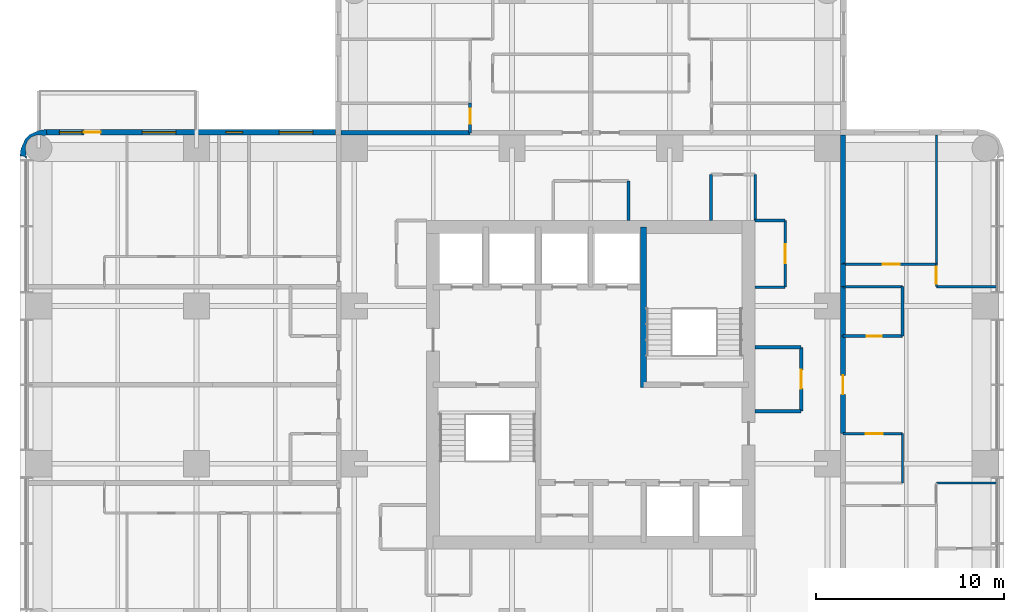
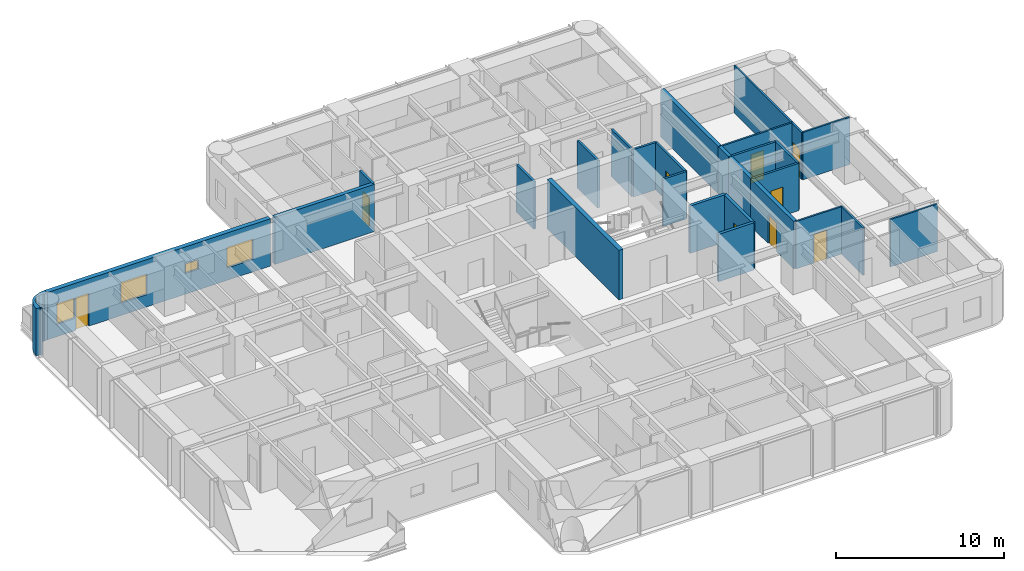
# One storey, part 8 of 11: 28 walls, 9 doors, 4 windows, 13 openings.
"""IFC4 building model written with IfcOpenShell, lengths in metres."""

from ifc_helpers import new_model, si_unit, direction, frame, frame_2d, origin, place, context, subcontext, project, spatial, polyline, rectangle, outline, extrude, material, layer, layer_set, type_object, element, fill, save


model = new_model("IFC4")

# Units and contexts
model_context = context("Model", 3, precision=1e-05, world=origin(), true_north=direction((0.0, 1.0)))
body_context = subcontext(model_context, "Body", "Model", "MODEL_VIEW")
ifc_project = project(units=[si_unit("LENGTHUNIT", "METRE"), si_unit("AREAUNIT", "SQUARE_METRE"), si_unit("VOLUMEUNIT", "CUBIC_METRE"), si_unit("PLANEANGLEUNIT", "RADIAN"), si_unit("MASSUNIT", "GRAM", prefix="KILO")], contexts=[model_context])

# Site, building, storey
site_placement = place(None, origin())
site = spatial("IfcSite", under=ifc_project, at=site_placement, CompositionType="ELEMENT")
building_placement = place(site_placement, origin())
building = spatial("IfcBuilding", under=site, at=building_placement, Name="Torre Alcanfor", CompositionType="ELEMENT")
storey_placement = place(building_placement, frame((0.0, 0.0, 215.699951171875)))
storey = spatial("IfcBuildingStorey", under=building, at=storey_placement, Name="L56", CompositionType="ELEMENT", Elevation=215.699951171875)

# Wall
ifc_material_1 = material(Name="Concrete block masonry, hollow blocks NMX-C-404 9 MPa", Category="masonry")
ifc_layer_1 = layer(ifc_material_1, 0.25)
ifc_layer_set_1 = layer_set([ifc_layer_1], Name="Apartment entrance wall 250 EI 60")
wall_type_1 = type_object("IfcWallType", Name="Apartment entrance wall 250 EI 60", PredefinedType="PARTITIONING", material=ifc_layer_set_1)
wall_1_placement = place(storey_placement, frame((16.10009765625, 42.824951171875, 0.0), z_axis=(0.0, 0.0, 1.0), x_axis=(1.0, 0.0, 0.0)))
element("IfcWall", 1, at=wall_1_placement, inside=storey, type_object=wall_type_1, Name="Partition L56-CORR / L56-N1-BATH", PredefinedType="PARTITIONING", context=body_context, shape_type="SweptSolid", body=[
    extrude(rectangle(XDim=6.870849609375, YDim=0.25, at=frame_2d((3.435546875, 0.0))), origin(), (0.0, 0.0, 1.0), 3.449951171875),
])

# Wall, opening, door
wall_2_placement = place(storey_placement, frame((42.824951171875, 32.0, 0.0), z_axis=(0.0, 0.0, 1.0), x_axis=(0.0, -1.0, 0.0)))
wall_2 = element("IfcWall", 2, at=wall_2_placement, inside=storey, type_object=wall_type_1, Name="Partition L56-CORR / L56-EX-ZAG", PredefinedType="PARTITIONING", context=body_context, shape_type="SweptSolid", body=[
    extrude(rectangle(XDim=5.199951171875, YDim=0.25, at=frame_2d((2.60009765625, 0.0))), origin(), (0.0, 0.0, 1.0), 3.449951171875),
])
opening_1_placement = place(wall_2_placement, frame((2.10009765625, 0.0, 0.0)))
opening_1 = element("IfcOpeningElement", 3, at=opening_1_placement, cuts=wall_2, Name="Opening D-A1", PredefinedType="OPENING", context=body_context, shape_type="SweptSolid", body=[
    extrude(rectangle(XDim=1.0, YDim=2.10009765625, at=frame_2d((0.5, 1.050048828125))), frame((0.0, 0.135009765625, 0.0), z_axis=(0.0, -1.0, 0.0), x_axis=(1.0, 0.0, 0.0)), (0.0, 0.0, 1.0), 0.27001953125),
])
ifc_material_2 = material(Name="Galvanised steel sheet ASTM A653", Category="steel")
door_type_1 = type_object("IfcDoorType", Name="Apartment entrance door FD60 1000x2100", OperationType="SINGLE_SWING_LEFT", PredefinedType="DOOR", material=ifc_material_2)
door_1_placement = place(opening_1_placement, origin())
door_1 = element("IfcDoor", 4, at=door_1_placement, inside=storey, type_object=door_type_1, Name="Apartment entrance L56-EX", OperationType="SINGLE_SWING_LEFT", OverallHeight=2.10009765625, OverallWidth=1.0, PredefinedType="DOOR", context=body_context, shape_type="SweptSolid", body=[
    extrude(rectangle(XDim=1.0, YDim=2.10009765625, at=frame_2d((0.5, 1.050048828125))), frame((0.0, 0.02490234375, 0.0), z_axis=(0.0, -1.0, 0.0), x_axis=(1.0, 0.0, 0.0)), (0.0, 0.0, 1.0), 0.050048828125),
])
fill(opening_1, door_1)

# Walls
wall_3_placement = place(storey_placement, frame((42.824951171875, 34.62890625, 0.0), z_axis=(0.0, 0.0, 1.0), x_axis=(0.0, -1.0, 0.0)))
element("IfcWall", 5, at=wall_3_placement, inside=storey, type_object=wall_type_1, Name="Partition L56-CORR / L56-EX-BATH2", PredefinedType="PARTITIONING", context=body_context, shape_type="SweptSolid", body=[
    extrude(rectangle(XDim=2.62890625, YDim=0.25, at=frame_2d((1.314453125, 0.0))), origin(), (0.0, 0.0, 1.0), 3.449951171875),
])
wall_4_placement = place(storey_placement, frame((42.824951171875, 35.8291015625, 0.0), z_axis=(0.0, 0.0, 1.0), x_axis=(0.0, -1.0, 0.0)))
element("IfcWall", 6, at=wall_4_placement, inside=storey, type_object=wall_type_1, Name="Partition L56-CORR / L56-EX-LIVING", PredefinedType="PARTITIONING", context=body_context, shape_type="SweptSolid", body=[
    extrude(rectangle(XDim=1.2001953125, YDim=0.25, at=frame_2d((0.60009765625, 0.0))), origin(), (0.0, 0.0, 1.0), 3.449951171875),
])
wall_5_placement = place(storey_placement, frame((42.824951171875, 42.699951171875, 0.0), z_axis=(0.0, 0.0, 1.0), x_axis=(0.0, -1.0, 0.0)))
element("IfcWall", 7, at=wall_5_placement, inside=storey, type_object=wall_type_1, Name="Partition L56-CORR / L56-EX-BED2", PredefinedType="PARTITIONING", context=body_context, shape_type="SweptSolid", body=[
    extrude(rectangle(XDim=6.870849609375, YDim=0.25, at=frame_2d((3.435546875, 0.0))), origin(), (0.0, 0.0, 1.0), 3.449951171875),
])

# Wall, opening, door
ifc_material_3 = material(Name="Gypsum board on steel studs", Category="steel")
ifc_layer_2 = layer(ifc_material_3, 0.1201171875)
ifc_layer_set_2 = layer_set([ifc_layer_2], Name="Apartment partition 120")
wall_type_2 = type_object("IfcWallType", Name="Apartment partition 120", PredefinedType="PARTITIONING", material=ifc_layer_set_2)
wall_6_placement = place(storey_placement, frame((42.824951171875, 26.800048828125, 0.0), z_axis=(0.0, 0.0, 1.0), x_axis=(1.0, 0.0, 0.0)))
wall_6 = element("IfcWall", 8, at=wall_6_placement, inside=storey, type_object=wall_type_2, Name="Partition L56-EX-ZAG / L56-EX-KITCHEN", PredefinedType="PARTITIONING", context=body_context, shape_type="SweptSolid", body=[
    extrude(rectangle(XDim=3.175048828125, YDim=0.1201171875, at=frame_2d((1.58740234375, 0.0))), origin(), (0.0, 0.0, 1.0), 3.449951171875),
])
opening_2_placement = place(wall_6_placement, frame((1.22509765625, 0.0, 0.0)))
opening_2 = element("IfcOpeningElement", 9, at=opening_2_placement, cuts=wall_6, Name="Opening D-R1", PredefinedType="OPENING", context=body_context, shape_type="SweptSolid", body=[
    extrude(rectangle(XDim=0.89990234375, YDim=2.10009765625, at=frame_2d((0.449951171875, 1.050048828125))), frame((0.0, 0.070068359375, 0.0), z_axis=(0.0, -1.0, 0.0), x_axis=(1.0, 0.0, 0.0)), (0.0, 0.0, 1.0), 0.14013671875),
])
ifc_material_4 = material(Name="Timber", Category="wood")
door_type_2 = type_object("IfcDoorType", Name="Internal door 900x2100", OperationType="SINGLE_SWING_LEFT", PredefinedType="DOOR", material=ifc_material_4)
door_2_placement = place(opening_2_placement, frame((0.89990234375, 0.0, 0.0), z_axis=(0.0, 0.0, 1.0), x_axis=(-1.0, 0.0, 0.0)))
door_2 = element("IfcDoor", 10, at=door_2_placement, inside=storey, type_object=door_type_2, Name="Door L56-EX kitchen", OperationType="SINGLE_SWING_LEFT", OverallHeight=2.10009765625, OverallWidth=0.89990234375, PredefinedType="DOOR", context=body_context, shape_type="SweptSolid", body=[
    extrude(rectangle(XDim=0.89990234375, YDim=2.10009765625, at=frame_2d((0.449951171875, 1.050048828125))), frame((0.0, 0.025146484375, 0.0), z_axis=(0.0, -1.0, 0.0), x_axis=(1.0, 0.0, 0.0)), (0.0, 0.0, 1.0), 0.050048828125),
])
fill(opening_2, door_2)

# Wall
wall_7_placement = place(storey_placement, frame((46.0, 24.1708984375, 0.0), z_axis=(0.0, 0.0, 1.0), x_axis=(0.0, 1.0, 0.0)))
element("IfcWall", 11, at=wall_7_placement, inside=storey, type_object=wall_type_2, Name="Partition L56-EX-KITCHEN / L56-EX-LIVING", PredefinedType="PARTITIONING", context=body_context, shape_type="SweptSolid", body=[
    extrude(rectangle(XDim=2.629150390625, YDim=0.1201171875, at=frame_2d((1.314453125, 0.0))), origin(), (0.0, 0.0, 1.0), 3.449951171875),
])

# Wall, opening, door
wall_8_placement = place(storey_placement, frame((42.824951171875, 35.8291015625, 0.0), z_axis=(0.0, 0.0, 1.0), x_axis=(1.0, 0.0, 0.0)))
wall_8 = element("IfcWall", 12, at=wall_8_placement, inside=storey, type_object=wall_type_2, Name="Partition L56-EX-LIVING / L56-EX-BED2", PredefinedType="PARTITIONING", context=body_context, shape_type="SweptSolid", body=[
    extrude(rectangle(XDim=4.97509765625, YDim=0.1201171875, at=frame_2d((2.487548828125, 0.0))), origin(), (0.0, 0.0, 1.0), 3.449951171875),
])
opening_3_placement = place(wall_8_placement, frame((2.125, 0.0, 0.0)))
opening_3 = element("IfcOpeningElement", 13, at=opening_3_placement, cuts=wall_8, Name="Opening D-R1", PredefinedType="OPENING", context=body_context, shape_type="SweptSolid", body=[
    extrude(rectangle(XDim=0.89990234375, YDim=2.10009765625, at=frame_2d((0.449951171875, 1.050048828125))), frame((0.0, 0.070068359375, 0.0), z_axis=(0.0, -1.0, 0.0), x_axis=(1.0, 0.0, 0.0)), (0.0, 0.0, 1.0), 0.14013671875),
])
door_3_placement = place(opening_3_placement, origin())
door_3 = element("IfcDoor", 14, at=door_3_placement, inside=storey, type_object=door_type_2, Name="Door L56-EX bed2", OperationType="SINGLE_SWING_RIGHT", OverallHeight=2.10009765625, OverallWidth=0.89990234375, PredefinedType="DOOR", context=body_context, shape_type="SweptSolid", body=[
    extrude(rectangle(XDim=0.89990234375, YDim=2.10009765625, at=frame_2d((0.449951171875, 1.050048828125))), frame((0.0, 0.02490234375, 0.0), z_axis=(0.0, -1.0, 0.0), x_axis=(1.0, 0.0, 0.0)), (0.0, 0.0, 1.0), 0.050048828125),
])
fill(opening_3, door_3)

wall_9_placement = place(storey_placement, frame((47.800048828125, 35.8291015625, 0.0), z_axis=(0.0, 0.0, 1.0), x_axis=(0.0, -1.0, 0.0)))
wall_9 = element("IfcWall", 15, at=wall_9_placement, inside=storey, type_object=wall_type_2, Name="Partition L56-EX-LIVING / L56-EX-MASTER", PredefinedType="PARTITIONING", context=body_context, shape_type="SweptSolid", body=[
    extrude(rectangle(XDim=1.2001953125, YDim=0.1201171875, at=frame_2d((0.60009765625, 0.0))), origin(), (0.0, 0.0, 1.0), 3.449951171875),
])
opening_4_placement = place(wall_9_placement, frame((0.14892578125, 0.0, 0.0)))
opening_4 = element("IfcOpeningElement", 16, at=opening_4_placement, cuts=wall_9, Name="Opening D-R1", PredefinedType="OPENING", context=body_context, shape_type="SweptSolid", body=[
    extrude(rectangle(XDim=0.89990234375, YDim=2.10009765625, at=frame_2d((0.449951171875, 1.050048828125))), frame((0.0, 0.070068359375, 0.0), z_axis=(0.0, -1.0, 0.0), x_axis=(1.0, 0.0, 0.0)), (0.0, 0.0, 1.0), 0.14013671875),
])
door_4_placement = place(opening_4_placement, origin())
door_4 = element("IfcDoor", 17, at=door_4_placement, inside=storey, type_object=door_type_2, Name="Door L56-EX master", OperationType="SINGLE_SWING_RIGHT", OverallHeight=2.10009765625, OverallWidth=0.89990234375, PredefinedType="DOOR", context=body_context, shape_type="SweptSolid", body=[
    extrude(rectangle(XDim=0.89990234375, YDim=2.10009765625, at=frame_2d((0.449951171875, 1.050048828125))), frame((0.0, 0.02490234375, 0.0), z_axis=(0.0, -1.0, 0.0), x_axis=(1.0, 0.0, 0.0)), (0.0, 0.0, 1.0), 0.050048828125),
])
fill(opening_4, door_4)

# Walls
for number, where, z_axis, x_axis, name in (
    (18, (47.800048828125, 34.62890625, 0.0), (0.0, 0.0, 1.0), (1.0, 0.0, 0.0), "Partition L56-EX-LIVING / L56-EX-MASTER"),
    (19, (51.050048828125, 24.1708984375, 0.0), (0.0, 0.0, 1.0), (-1.0, 0.0, 0.0), "Partition L56-EX-LIVING / L56-EX-BED1"),
):
    element("IfcWall", number, at=place(storey_placement, frame(where, z_axis=z_axis, x_axis=x_axis)), inside=storey, type_object=wall_type_2, Name=name, PredefinedType="PARTITIONING", context=body_context, shape_type="SweptSolid", body=[
        extrude(rectangle(XDim=3.25, YDim=0.1201171875, at=frame_2d((1.625, 0.0))), origin(), (0.0, 0.0, 1.0), 3.449951171875),
    ])
wall_10_placement = place(storey_placement, frame((47.800048828125, 35.8291015625, 0.0), z_axis=(0.0, 0.0, 1.0), x_axis=(0.0, 1.0, 0.0)))
element("IfcWall", 20, at=wall_10_placement, inside=storey, type_object=wall_type_2, Name="Partition L56-EX-BED2 / L56-EX-MASTER", PredefinedType="PARTITIONING", context=body_context, shape_type="SweptSolid", body=[
    extrude(rectangle(XDim=6.870849609375, YDim=0.1201171875, at=frame_2d((3.435546875, 0.0))), origin(), (0.0, 0.0, 1.0), 3.449951171875),
])
ifc_material_5 = material(Name="Concrete f'c 70 MPa", Category="concrete")
ifc_layer_3 = layer(ifc_material_5, 0.300048828125)
ifc_layer_set_3 = layer_set([ifc_layer_3], Name="Core inner wall 300 f'c70")
wall_type_3 = type_object("IfcWallType", Name="Core inner wall 300 f'c70", PredefinedType="SHEAR", material=ifc_layer_set_3)
wall_11_placement = place(storey_placement, frame((32.199951171875, 29.25, 0.0), z_axis=(0.0, 0.0, 1.0), x_axis=(0.0, 1.0, 0.0)))
element("IfcWall", 21, at=wall_11_placement, inside=storey, type_object=wall_type_3, Name="Core wall X322N L56", PredefinedType="SHEAR", context=body_context, shape_type="SweptSolid", body=[
    extrude(rectangle(XDim=8.550048828125, YDim=0.300048828125, at=frame_2d((4.27490234375, 0.0))), origin(), (0.0, 0.0, 1.0), 3.60009765625),
])

# Wall, openings, door, windows
ifc_material_6 = material(Name="Limestone cladding", Category="masonry")
ifc_layer_4 = layer(ifc_material_6, 0.0400390625, Name="Facing")
ifc_material_7 = material(Name="Ventilated air cavity")
ifc_layer_5 = layer(ifc_material_7, 0.02001953125, ventilated=True, Name="Ventilated joint")
ifc_material_8 = material(Name="Mineral wool insulation", Category="insulation")
ifc_layer_6 = layer(ifc_material_8, 0.10009765625, Name="Insulation")
ifc_material_9 = material(Name="Concrete f'c 35 MPa", Category="concrete")
ifc_layer_7 = layer(ifc_material_9, 0.139892578125, Name="Backing")
ifc_layer_set_4 = layer_set([ifc_layer_4, ifc_layer_5, ifc_layer_6, ifc_layer_7], Name="External wall stone-clad 300")
wall_type_4 = type_object("IfcWallType", Name="External wall stone-clad 300", PredefinedType="SOLIDWALL", material=ifc_layer_set_4)
wall_12_placement = place(storey_placement, frame((15.800048828125, 42.85009765625, 0.0), z_axis=(0.0, 0.0, 1.0), x_axis=(-1.0, 0.0, 0.0)))
wall_12 = element("IfcWall", 22, at=wall_12_placement, inside=storey, type_object=wall_type_4, Name="External wall L56 1", PredefinedType="SOLIDWALL", context=body_context, shape_type="SweptSolid", body=[
    extrude(rectangle(XDim=15.400146484375, YDim=0.300048828125, at=frame_2d((7.7001953125, 0.0))), origin(), (0.0, 0.0, 1.0), 3.449951171875),
])
opening_5_placement = place(wall_12_placement, frame((1.199951171875, 0.0, 0.89990234375)))
opening_5 = element("IfcOpeningElement", 23, at=opening_5_placement, cuts=wall_12, Name="Opening W2", PredefinedType="OPENING", context=body_context, shape_type="SweptSolid", body=[
    extrude(rectangle(XDim=1.800048828125, YDim=1.5, at=frame_2d((0.89990234375, 0.75))), frame((0.0, 0.159912109375, 0.0), z_axis=(0.0, -1.0, 0.0), x_axis=(1.0, 0.0, 0.0)), (0.0, 0.0, 1.0), 0.320068359375),
])
opening_6_placement = place(wall_12_placement, frame((4.949951171875, 0.0, 1.5)))
opening_6 = element("IfcOpeningElement", 24, at=opening_6_placement, cuts=wall_12, Name="Opening W3", PredefinedType="OPENING", context=body_context, shape_type="SweptSolid", body=[
    extrude(rectangle(XDim=0.89990234375, YDim=0.699951171875, at=frame_2d((0.449951171875, 0.35009765625))), frame((0.0, 0.159912109375, 0.0), z_axis=(0.0, -1.0, 0.0), x_axis=(1.0, 0.0, 0.0)), (0.0, 0.0, 1.0), 0.320068359375),
])
opening_7_placement = place(wall_12_placement, frame((8.5, 0.0, 0.89990234375)))
opening_7 = element("IfcOpeningElement", 25, at=opening_7_placement, cuts=wall_12, Name="Opening W2", PredefinedType="OPENING", context=body_context, shape_type="SweptSolid", body=[
    extrude(rectangle(XDim=1.800048828125, YDim=1.5, at=frame_2d((0.89990234375, 0.75))), frame((0.0, 0.159912109375, 0.0), z_axis=(0.0, -1.0, 0.0), x_axis=(1.0, 0.0, 0.0)), (0.0, 0.0, 1.0), 0.320068359375),
])
opening_8_placement = place(wall_12_placement, frame((12.5, 0.0, 0.0)))
opening_8 = element("IfcOpeningElement", 26, at=opening_8_placement, cuts=wall_12, Name="Opening D-B1", PredefinedType="OPENING", context=body_context, shape_type="SweptSolid", body=[
    extrude(rectangle(XDim=0.89990234375, YDim=2.39990234375, at=frame_2d((0.449951171875, 1.199951171875))), frame((0.0, 0.159912109375, 0.0), z_axis=(0.0, -1.0, 0.0), x_axis=(1.0, 0.0, 0.0)), (0.0, 0.0, 1.0), 0.320068359375),
])
opening_9_placement = place(wall_12_placement, frame((13.5, 0.0, 0.89990234375)))
opening_9 = element("IfcOpeningElement", 27, at=opening_9_placement, cuts=wall_12, Name="Opening W4", PredefinedType="OPENING", context=body_context, shape_type="SweptSolid", body=[
    extrude(rectangle(XDim=1.199951171875, YDim=1.5, at=frame_2d((0.60009765625, 0.75))), frame((0.0, 0.159912109375, 0.0), z_axis=(0.0, -1.0, 0.0), x_axis=(1.0, 0.0, 0.0)), (0.0, 0.0, 1.0), 0.320068359375),
])
ifc_material_10 = material(Name="Aluminium and glass", Category="aluminium")
door_type_3 = type_object("IfcDoorType", Name="Balcony door glazed 900x2400", OperationType="SINGLE_SWING_LEFT", PredefinedType="DOOR", material=ifc_material_10)
door_5_placement = place(opening_8_placement, origin())
door_5 = element("IfcDoor", 28, at=door_5_placement, inside=storey, type_object=door_type_3, Name="Balcony door L56-W2", OperationType="SINGLE_SWING_LEFT", OverallHeight=2.39990234375, OverallWidth=0.89990234375, PredefinedType="DOOR", context=body_context, shape_type="SweptSolid", body=[
    extrude(rectangle(XDim=0.89990234375, YDim=2.39990234375, at=frame_2d((0.449951171875, 1.199951171875))), frame((0.0, 0.02490234375, 0.0), z_axis=(0.0, -1.0, 0.0), x_axis=(1.0, 0.0, 0.0)), (0.0, 0.0, 1.0), 0.050048828125),
])
fill(opening_8, door_5)
ifc_material_11 = material(Name="Aluminium frame with clear double glazing", Category="aluminium")
window_type_1 = type_object("IfcWindowType", Name="Window bathroom 900x700", PartitioningType="SINGLE_PANEL", PredefinedType="WINDOW", material=ifc_material_11)
window_1_placement = place(opening_6_placement, origin())
window_1 = element("IfcWindow", 29, at=window_1_placement, inside=storey, type_object=window_type_1, Name="Window W3 L56-W2", OverallHeight=0.699951171875, OverallWidth=0.89990234375, PartitioningType="SINGLE_PANEL", PredefinedType="WINDOW", context=body_context, shape_type="SweptSolid", body=[
    extrude(rectangle(XDim=0.89990234375, YDim=0.699951171875, at=frame_2d((0.449951171875, 0.35009765625))), frame((0.0, 0.030029296875, 0.0), z_axis=(0.0, -1.0, 0.0), x_axis=(1.0, 0.0, 0.0)), (0.0, 0.0, 1.0), 0.06005859375),
])
fill(opening_6, window_1)
ifc_material_12 = material(Name="Aluminium frame with clear double glazing", Category="aluminium")
window_type_2 = type_object("IfcWindowType", Name="Window bedroom 1200x1500", PartitioningType="SINGLE_PANEL", PredefinedType="WINDOW", material=ifc_material_12)
window_2_placement = place(opening_9_placement, origin())
window_2 = element("IfcWindow", 30, at=window_2_placement, inside=storey, type_object=window_type_2, Name="Window W4 L56-W2", OverallHeight=1.5, OverallWidth=1.199951171875, PartitioningType="SINGLE_PANEL", PredefinedType="WINDOW", context=body_context, shape_type="SweptSolid", body=[
    extrude(rectangle(XDim=1.199951171875, YDim=1.5, at=frame_2d((0.60009765625, 0.75))), frame((0.0, 0.030029296875, 0.0), z_axis=(0.0, -1.0, 0.0), x_axis=(1.0, 0.0, 0.0)), (0.0, 0.0, 1.0), 0.06005859375),
])
fill(opening_9, window_2)
ifc_material_13 = material(Name="Aluminium frame with clear double glazing", Category="aluminium")
window_type_3 = type_object("IfcWindowType", Name="Window bedroom 1800x1500", PartitioningType="SINGLE_PANEL", PredefinedType="WINDOW", material=ifc_material_13)
window_3_placement = place(opening_5_placement, origin())
window_3 = element("IfcWindow", 31, at=window_3_placement, inside=storey, type_object=window_type_3, Name="Window W2 L56-W2", OverallHeight=1.5, OverallWidth=1.800048828125, PartitioningType="SINGLE_PANEL", PredefinedType="WINDOW", context=body_context, shape_type="SweptSolid", body=[
    extrude(rectangle(XDim=1.800048828125, YDim=1.5, at=frame_2d((0.89990234375, 0.75))), frame((0.0, 0.030029296875, 0.0), z_axis=(0.0, -1.0, 0.0), x_axis=(1.0, 0.0, 0.0)), (0.0, 0.0, 1.0), 0.06005859375),
])
fill(opening_5, window_3)
window_4_placement = place(opening_7_placement, origin())
window_4 = element("IfcWindow", 32, at=window_4_placement, inside=storey, type_object=window_type_3, Name="Window W2 L56-W2", OverallHeight=1.5, OverallWidth=1.800048828125, PartitioningType="SINGLE_PANEL", PredefinedType="WINDOW", context=body_context, shape_type="SweptSolid", body=[
    extrude(rectangle(XDim=1.800048828125, YDim=1.5, at=frame_2d((0.89990234375, 0.75))), frame((0.0, 0.030029296875, 0.0), z_axis=(0.0, -1.0, 0.0), x_axis=(1.0, 0.0, 0.0)), (0.0, 0.0, 1.0), 0.06005859375),
])
fill(opening_7, window_4)

# Wall
ifc_material_14 = material(Name="Concrete block masonry, hollow blocks NMX-C-404 9 MPa", Category="masonry")
ifc_layer_8 = layer(ifc_material_14, 0.199951171875)
ifc_layer_set_5 = layer_set([ifc_layer_8], Name="Plant room wall 200 EI 60")
wall_type_5 = type_object("IfcWallType", Name="Plant room wall 200 EI 60", PredefinedType="PARTITIONING", material=ifc_layer_set_5)
wall_13_placement = place(storey_placement, frame((38.14990234375, 28.0, 0.0), z_axis=(0.0, 0.0, 1.0), x_axis=(1.0, 0.0, 0.0)))
element("IfcWall", 33, at=wall_13_placement, inside=storey, type_object=wall_type_5, Name="Partition L56-CORR / L56-G03", PredefinedType="PARTITIONING", context=body_context, shape_type="SweptSolid", body=[
    extrude(rectangle(XDim=2.4501953125, YDim=0.199951171875, at=frame_2d((1.22509765625, 0.0))), origin(), (0.0, 0.0, 1.0), 3.449951171875),
])

# Wall, opening, door
wall_14_placement = place(storey_placement, frame((40.60009765625, 28.0, 0.0), z_axis=(0.0, 0.0, 1.0), x_axis=(0.0, 1.0, 0.0)))
wall_14 = element("IfcWall", 34, at=wall_14_placement, inside=storey, type_object=wall_type_5, Name="Partition L56-CORR / L56-G03", PredefinedType="PARTITIONING", context=body_context, shape_type="SweptSolid", body=[
    extrude(rectangle(XDim=3.39990234375, YDim=0.199951171875, at=frame_2d((1.699951171875, 0.0))), origin(), (0.0, 0.0, 1.0), 3.449951171875),
])
opening_10_placement = place(wall_14_placement, frame((1.199951171875, 0.0, 0.0)))
opening_10 = element("IfcOpeningElement", 35, at=opening_10_placement, cuts=wall_14, Name="Opening D-K1", PredefinedType="OPENING", context=body_context, shape_type="SweptSolid", body=[
    extrude(rectangle(XDim=1.0, YDim=2.10009765625, at=frame_2d((0.5, 1.050048828125))), frame((0.0, 0.10986328125, 0.0), z_axis=(0.0, -1.0, 0.0), x_axis=(1.0, 0.0, 0.0)), (0.0, 0.0, 1.0), 0.219970703125),
])
ifc_material_15 = material(Name="Galvanised steel sheet ASTM A653", Category="steel")
door_type_4 = type_object("IfcDoorType", Name="Core room door FD60 1000x2100", OperationType="SINGLE_SWING_LEFT", PredefinedType="DOOR", material=ifc_material_15)
door_6_placement = place(opening_10_placement, origin())
door_6 = element("IfcDoor", 36, at=door_6_placement, inside=storey, type_object=door_type_4, Name="Door L56-G03 refuse and recycling store", OperationType="SINGLE_SWING_LEFT", OverallHeight=2.10009765625, OverallWidth=1.0, PredefinedType="DOOR", context=body_context, shape_type="SweptSolid", body=[
    extrude(rectangle(XDim=1.0, YDim=2.10009765625, at=frame_2d((0.5, 1.050048828125))), frame((0.0, 0.02490234375, 0.0), z_axis=(0.0, -1.0, 0.0), x_axis=(1.0, 0.0, 0.0)), (0.0, 0.0, 1.0), 0.050048828125),
])
fill(opening_10, door_6)

# Walls
wall_15_placement = place(storey_placement, frame((40.60009765625, 31.39990234375, 0.0), z_axis=(0.0, 0.0, 1.0), x_axis=(-1.0, 0.0, 0.0)))
element("IfcWall", 37, at=wall_15_placement, inside=storey, type_object=wall_type_5, Name="Partition L56-CORR / L56-G03", PredefinedType="PARTITIONING", context=body_context, shape_type="SweptSolid", body=[
    extrude(rectangle(XDim=2.4501953125, YDim=0.199951171875, at=frame_2d((1.22509765625, 0.0))), origin(), (0.0, 0.0, 1.0), 3.449951171875),
])
ifc_material_16 = material(Name="Concrete block masonry, hollow blocks NMX-C-404 9 MPa", Category="masonry")
ifc_layer_9 = layer(ifc_material_16, 0.14990234375)
ifc_layer_set_6 = layer_set([ifc_layer_9], Name="Residents' room partition 150")
wall_type_6 = type_object("IfcWallType", Name="Residents' room partition 150", PredefinedType="PARTITIONING", material=ifc_layer_set_6)
wall_16_placement = place(storey_placement, frame((31.39990234375, 38.14990234375, 0.0), z_axis=(0.0, 0.0, 1.0), x_axis=(0.0, 1.0, 0.0)))
element("IfcWall", 38, at=wall_16_placement, inside=storey, type_object=wall_type_6, Name="Partition L56-CORR / L56-G01", PredefinedType="PARTITIONING", context=body_context, shape_type="SweptSolid", body=[
    extrude(rectangle(XDim=2.10009765625, YDim=0.14990234375, at=frame_2d((1.050048828125, 0.0))), origin(), (0.0, 0.0, 1.0), 3.449951171875),
])
for number, where, z_axis, x_axis, name in (
    (39, (38.14990234375, 38.14990234375, 0.0), (0.0, 0.0, 1.0), (0.0, 1.0, 0.0), "Partition L56-CORR / L56-G02"),
    (40, (35.800048828125, 40.60009765625, 0.0), (0.0, 0.0, 1.0), (0.0, -1.0, 0.0), "Partition L56-CORR / L56-G02"),
):
    element("IfcWall", number, at=place(storey_placement, frame(where, z_axis=z_axis, x_axis=x_axis)), inside=storey, type_object=wall_type_6, Name=name, PredefinedType="PARTITIONING", context=body_context, shape_type="SweptSolid", body=[
        extrude(rectangle(XDim=2.4501953125, YDim=0.14990234375, at=frame_2d((1.22509765625, 0.0))), origin(), (0.0, 0.0, 1.0), 3.449951171875),
    ])
wall_17_placement = place(storey_placement, frame((38.14990234375, 34.60009765625, 0.0), z_axis=(0.0, 0.0, 1.0), x_axis=(1.0, 0.0, 0.0)))
element("IfcWall", 41, at=wall_17_placement, inside=storey, type_object=wall_type_6, Name="Partition L56-CORR / L56-G04", PredefinedType="PARTITIONING", context=body_context, shape_type="SweptSolid", body=[
    extrude(rectangle(XDim=1.60009765625, YDim=0.14990234375, at=frame_2d((0.800048828125, 0.0))), origin(), (0.0, 0.0, 1.0), 3.449951171875),
])

# Wall, opening, door
wall_18_placement = place(storey_placement, frame((39.75, 34.60009765625, 0.0), z_axis=(0.0, 0.0, 1.0), x_axis=(0.0, 1.0, 0.0)))
wall_18 = element("IfcWall", 42, at=wall_18_placement, inside=storey, type_object=wall_type_6, Name="Partition L56-CORR / L56-G04", PredefinedType="PARTITIONING", context=body_context, shape_type="SweptSolid", body=[
    extrude(rectangle(XDim=3.5498046875, YDim=0.14990234375, at=frame_2d((1.77490234375, 0.0))), origin(), (0.0, 0.0, 1.0), 3.449951171875),
])
opening_11_placement = place(wall_18_placement, frame((1.27490234375, 0.0, 0.0)))
opening_11 = element("IfcOpeningElement", 43, at=opening_11_placement, cuts=wall_18, Name="Opening D-M1", PredefinedType="OPENING", context=body_context, shape_type="SweptSolid", body=[
    extrude(rectangle(XDim=1.0, YDim=2.10009765625, at=frame_2d((0.5, 1.050048828125))), frame((0.0, 0.0849609375, 0.0), z_axis=(0.0, -1.0, 0.0), x_axis=(1.0, 0.0, 0.0)), (0.0, 0.0, 1.0), 0.169921875),
])
ifc_material_17 = material(Name="Timber", Category="wood")
door_type_5 = type_object("IfcDoorType", Name="Residents' room door 1000x2100", OperationType="SINGLE_SWING_LEFT", PredefinedType="DOOR", material=ifc_material_17)
door_7_placement = place(opening_11_placement, origin())
door_7 = element("IfcDoor", 44, at=door_7_placement, inside=storey, type_object=door_type_5, Name="Door L56-G04 residents' storage", OperationType="SINGLE_SWING_LEFT", OverallHeight=2.10009765625, OverallWidth=1.0, PredefinedType="DOOR", context=body_context, shape_type="SweptSolid", body=[
    extrude(rectangle(XDim=1.0, YDim=2.10009765625, at=frame_2d((0.5, 1.050048828125))), frame((0.0, 0.02490234375, 0.0), z_axis=(0.0, -1.0, 0.0), x_axis=(1.0, 0.0, 0.0)), (0.0, 0.0, 1.0), 0.050048828125),
])
fill(opening_11, door_7)

# Walls
wall_19_placement = place(storey_placement, frame((39.75, 38.14990234375, 0.0), z_axis=(0.0, 0.0, 1.0), x_axis=(-1.0, 0.0, 0.0)))
element("IfcWall", 45, at=wall_19_placement, inside=storey, type_object=wall_type_6, Name="Partition L56-CORR / L56-G04", PredefinedType="PARTITIONING", context=body_context, shape_type="SweptSolid", body=[
    extrude(rectangle(XDim=1.60009765625, YDim=0.14990234375, at=frame_2d((0.800048828125, 0.0))), origin(), (0.0, 0.0, 1.0), 3.449951171875),
])
ifc_layer_10 = layer(ifc_material_6, 0.0400390625, Name="Facing")
ifc_layer_11 = layer(ifc_material_7, 0.02001953125, ventilated=True, Name="Ventilated joint")
ifc_layer_12 = layer(ifc_material_8, 0.10009765625, Name="Insulation")
ifc_layer_13 = layer(ifc_material_9, 0.139892578125, Name="Backing")
ifc_layer_set_7 = layer_set([ifc_layer_10, ifc_layer_11, ifc_layer_12, ifc_layer_13], Name="Rounded corner pier stone-clad 300")
wall_type_7 = type_object("IfcWallType", Name="Rounded corner pier stone-clad 300", PredefinedType="SOLIDWALL", material=ifc_layer_set_7)
wall_20_placement = place(storey_placement, frame((0.289684728, 42.724211819, 0.0), z_axis=(0.0, 0.0, 1.0), x_axis=(-0.898030234854, 0.439933741929, 0.0)))
element("IfcWall", 46, at=wall_20_placement, inside=storey, type_object=wall_type_7, Name="Corner pier L56 13", PredefinedType="SOLIDWALL", context=body_context, shape_type="SweptSolid", body=[
    extrude(outline(polyline([(-0.1451696260029872, -0.04410137667948781), (0.022349775089968618, -0.29615457307685267), (0.3267662274453961, -0.09401161193946184), (0.5684395137438579, 0.1801582341686725), (0.5775438768187978, 0.19875519044837203), (0.6998681881563861, 0.337520421761322), (0.8105897526086489, 0.6609052696654318), (0.798987005723323, 0.8455248862565916), (0.8031915983754734, 0.8657994419976891), (0.7802772818432999, 1.230559659021311), (0.6636401292003462, 1.5768643338748296), (0.426274926498842, 1.4970116570996908), (0.3818262033461368, 1.5361339555879763), (0.27609856791259557, 1.5721508582913652), (0.34924184873618547, 1.4228445619203098), (0.3919947529834039, 1.4437886731693554), (0.4531844604451624, 1.2611683721887113), (0.5096660727895201, 1.2113572307370708), (0.632323380719828, 0.9609786838123349), (0.6499334439144826, 0.6825189735513317), (0.5596785928912745, 0.41891132480525434), (0.37509146330548054, 0.2096805523179385), (0.12471291638074464, 0.0870232443876307), (0.04955403003282338, 0.08228360846554762), (-0.12741072731568104, -0.035401515083730434), (-0.1451696260029872, -0.04410137667948781)])), origin(), (0.0, 0.0, 1.0), 3.449951171875),
])

# Wall, opening, door
ifc_material_18 = material(Name="Cement board on steel studs", Category="steel")
ifc_layer_14 = layer(ifc_material_18, 0.14990234375)
ifc_layer_set_8 = layer_set([ifc_layer_14], Name="Wet area partition 150")
wall_type_8 = type_object("IfcWallType", Name="Wet area partition 150", PredefinedType="PARTITIONING", material=ifc_layer_set_8)
wall_21_placement = place(storey_placement, frame((22.970947265625, 42.824951171875, 0.0), z_axis=(0.0, 0.0, 1.0), x_axis=(0.0, 1.0, 0.0)))
wall_21 = element("IfcWall", 47, at=wall_21_placement, inside=storey, type_object=wall_type_8, Name="Partition L56-N1-LIVING / L56-N1-BATH", PredefinedType="PARTITIONING", context=body_context, shape_type="SweptSolid", body=[
    extrude(rectangle(XDim=1.574951171875, YDim=0.14990234375, at=frame_2d((0.78759765625, 0.0))), origin(), (0.0, 0.0, 1.0), 3.449951171875),
])
opening_12_placement = place(wall_21_placement, frame((0.47509765625, 0.0, 0.0)))
opening_12 = element("IfcOpeningElement", 48, at=opening_12_placement, cuts=wall_21, Name="Opening D-R2", PredefinedType="OPENING", context=body_context, shape_type="SweptSolid", body=[
    extrude(rectangle(XDim=0.800048828125, YDim=2.10009765625, at=frame_2d((0.39990234375, 1.050048828125))), frame((0.0, 0.0849609375, 0.0), z_axis=(0.0, -1.0, 0.0), x_axis=(1.0, 0.0, 0.0)), (0.0, 0.0, 1.0), 0.169921875),
])
ifc_material_19 = material(Name="Timber", Category="wood")
door_type_6 = type_object("IfcDoorType", Name="Bathroom door 800x2100", OperationType="SINGLE_SWING_LEFT", PredefinedType="DOOR", material=ifc_material_19)
door_8_placement = place(opening_12_placement, origin())
door_8 = element("IfcDoor", 49, at=door_8_placement, inside=storey, type_object=door_type_6, Name="Door L56-N1 bath", OperationType="SINGLE_SWING_RIGHT", OverallHeight=2.10009765625, OverallWidth=0.800048828125, PredefinedType="DOOR", context=body_context, shape_type="SweptSolid", body=[
    extrude(rectangle(XDim=0.800048828125, YDim=2.10009765625, at=frame_2d((0.39990234375, 1.050048828125))), frame((0.0, 0.02490234375, 0.0), z_axis=(0.0, -1.0, 0.0), x_axis=(1.0, 0.0, 0.0)), (0.0, 0.0, 1.0), 0.050048828125),
])
fill(opening_12, door_8)

wall_22_placement = place(storey_placement, frame((46.0, 32.0, 0.0), z_axis=(0.0, 0.0, 1.0), x_axis=(-1.0, 0.0, 0.0)))
wall_22 = element("IfcWall", 50, at=wall_22_placement, inside=storey, type_object=wall_type_8, Name="Partition L56-EX-ZAG / L56-EX-BATH2", PredefinedType="PARTITIONING", context=body_context, shape_type="SweptSolid", body=[
    extrude(rectangle(XDim=3.175048828125, YDim=0.14990234375, at=frame_2d((1.58740234375, 0.0))), origin(), (0.0, 0.0, 1.0), 3.449951171875),
])
opening_13_placement = place(wall_22_placement, frame((1.10009765625, 0.0, 0.0)))
opening_13 = element("IfcOpeningElement", 51, at=opening_13_placement, cuts=wall_22, Name="Opening D-R2", PredefinedType="OPENING", context=body_context, shape_type="SweptSolid", body=[
    extrude(rectangle(XDim=0.800048828125, YDim=2.10009765625, at=frame_2d((0.39990234375, 1.050048828125))), frame((0.0, 0.0849609375, 0.0), z_axis=(0.0, -1.0, 0.0), x_axis=(1.0, 0.0, 0.0)), (0.0, 0.0, 1.0), 0.169921875),
])
door_9_placement = place(opening_13_placement, frame((0.800048828125, 0.0, 0.0), z_axis=(0.0, 0.0, 1.0), x_axis=(-1.0, 0.0, 0.0)))
door_9 = element("IfcDoor", 52, at=door_9_placement, inside=storey, type_object=door_type_6, Name="Door L56-EX bath2", OperationType="SINGLE_SWING_RIGHT", OverallHeight=2.10009765625, OverallWidth=0.800048828125, PredefinedType="DOOR", context=body_context, shape_type="SweptSolid", body=[
    extrude(rectangle(XDim=0.800048828125, YDim=2.10009765625, at=frame_2d((0.400146484375, 1.050048828125))), frame((0.0, 0.025146484375, 0.0), z_axis=(0.0, -1.0, 0.0), x_axis=(1.0, 0.0, 0.0)), (0.0, 0.0, 1.0), 0.050048828125),
])
fill(opening_13, door_9)

# Walls
wall_23_placement = place(storey_placement, frame((46.0, 32.0, 0.0), z_axis=(0.0, 0.0, 1.0), x_axis=(0.0, 1.0, 0.0)))
element("IfcWall", 53, at=wall_23_placement, inside=storey, type_object=wall_type_8, Name="Partition L56-EX-BATH2 / L56-EX-LIVING", PredefinedType="PARTITIONING", context=body_context, shape_type="SweptSolid", body=[
    extrude(rectangle(XDim=2.62890625, YDim=0.14990234375, at=frame_2d((1.314453125, 0.0))), origin(), (0.0, 0.0, 1.0), 3.449951171875),
])
wall_24_placement = place(storey_placement, frame((46.0, 34.62890625, 0.0), z_axis=(0.0, 0.0, 1.0), x_axis=(-1.0, 0.0, 0.0)))
element("IfcWall", 54, at=wall_24_placement, inside=storey, type_object=wall_type_8, Name="Partition L56-EX-BATH2 / L56-EX-LIVING", PredefinedType="PARTITIONING", context=body_context, shape_type="SweptSolid", body=[
    extrude(rectangle(XDim=3.175048828125, YDim=0.14990234375, at=frame_2d((1.58740234375, 0.0))), origin(), (0.0, 0.0, 1.0), 3.449951171875),
])

save(model, "model.ifc")
